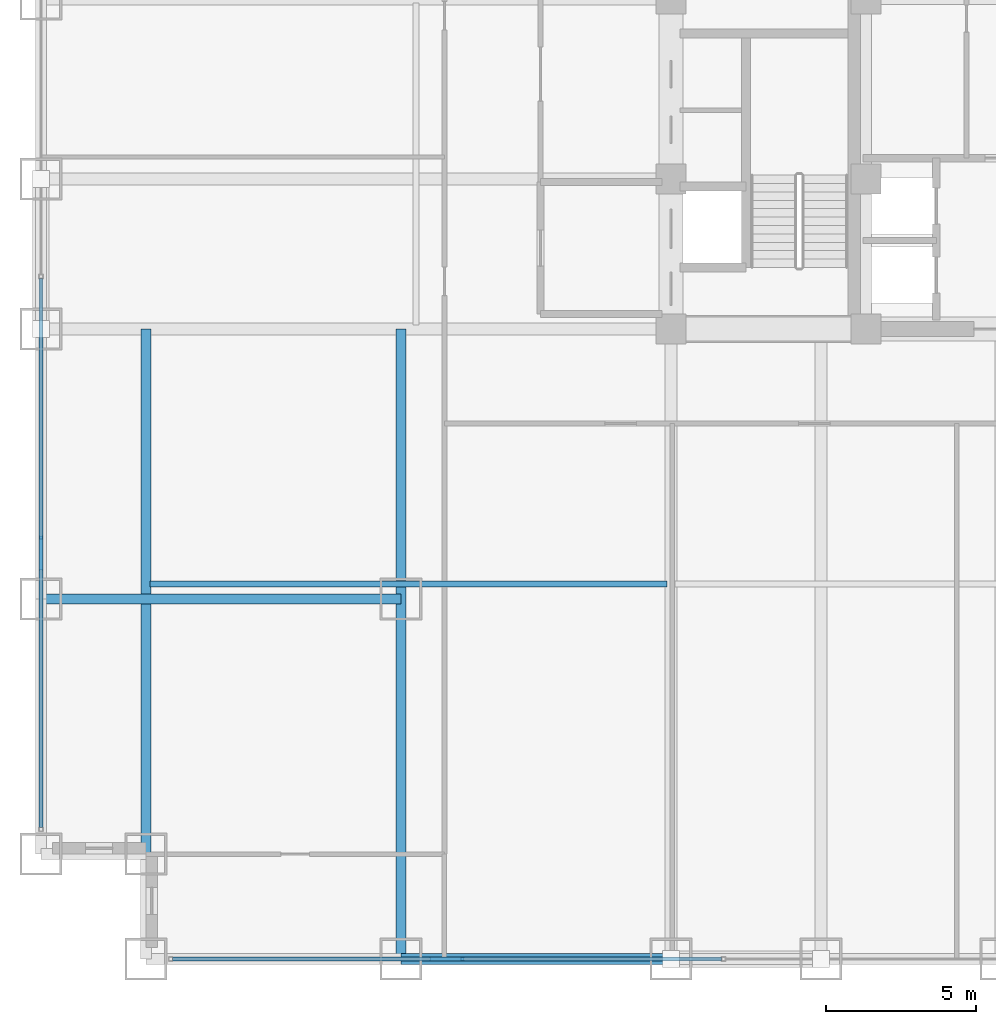
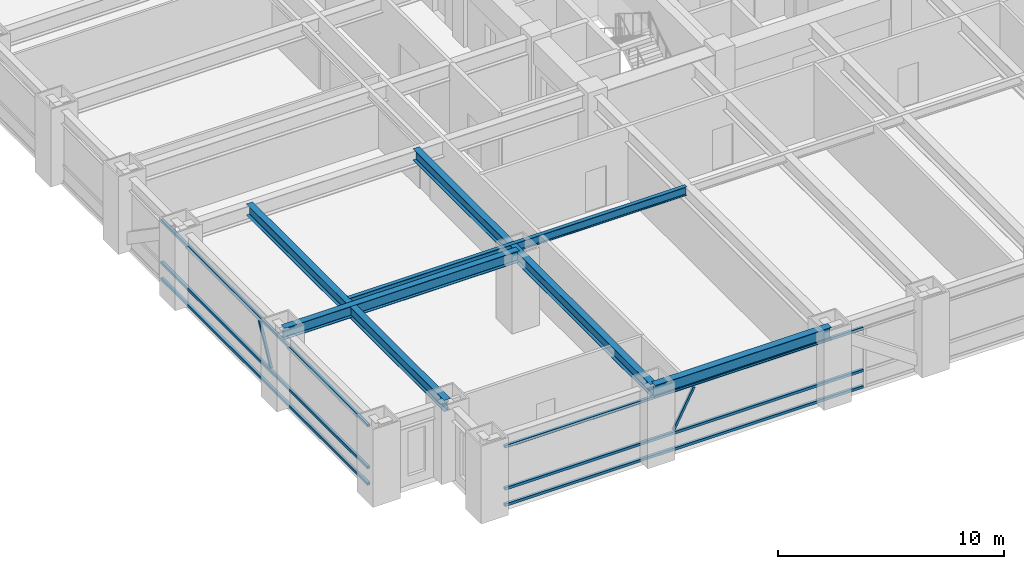
# One storey, part 3 of 27: 8 members, 5 beams, 2 elements without a shape of their own.
"""IFC4 building model written with IfcOpenShell, lengths in metres."""

from ifc_helpers import new_model, si_unit, direction, frame, origin, origin_2d, place, context, subcontext, project, spatial, hollow_rectangle, i_section, extrude, source, transform, mapped, material, material_profile, profile_set, type_object, element, aggregate, save


model = new_model("IFC4")

# Units and contexts
model_context = context("Model", 3, precision=1e-05, world=origin(), true_north=direction((0.0, 1.0)))
body_context = subcontext(model_context, "Body", "Model", "MODEL_VIEW")
ifc_project = project(units=[si_unit("LENGTHUNIT", "METRE"), si_unit("AREAUNIT", "SQUARE_METRE"), si_unit("VOLUMEUNIT", "CUBIC_METRE"), si_unit("PLANEANGLEUNIT", "RADIAN"), si_unit("MASSUNIT", "GRAM", prefix="KILO")], contexts=[model_context])

# Site, building, storey
site_placement = place(None, origin())
site = spatial("IfcSite", under=ifc_project, at=site_placement, CompositionType="ELEMENT")
building_placement = place(site_placement, origin())
building = spatial("IfcBuilding", under=site, at=building_placement, Name="Khorayat Bourse Tower", CompositionType="ELEMENT")
storey_placement = place(building_placement, frame((0.0, 0.0, 45.199951171875)))
storey = spatial("IfcBuildingStorey", under=building, at=storey_placement, Name="L09", CompositionType="ELEMENT", Elevation=45.199951171875)

# Beams
ifc_material_1 = material(Name="Steel ASTM A992 Grade 50", Category="steel")
ifc_material_profile_1 = material_profile(ifc_material_1, i_section(OverallWidth=0.35498046875, OverallDepth=0.695068359375, WebThickness=0.015380859375, FlangeThickness=0.02490234375, FilletRadius=0.01806640625, at=origin_2d()), Name="W690X217")
ifc_profile_set_1 = profile_set([ifc_material_profile_1], Name="Steel ASTM A992 Grade 50")
beam_type_1 = type_object("IfcBeamType", Name="BM-SPAN-690", PredefinedType="SPANDREL", material=ifc_profile_set_1)
shared_shape_1 = source(origin(), body_context, "Body", "SweptSolid", [
    extrude(i_section(OverallWidth=0.35498046875, OverallDepth=0.695068359375, WebThickness=0.015380859375, FlangeThickness=0.02490234375, FilletRadius=0.01806640625, at=origin_2d()), origin(), (0.0, 0.0, 1.0), 9.0),
])
beam_1_placement = place(storey_placement, frame((-20.0, -32.0, 3.592529296875), z_axis=(1.0, 0.0, 0.0), x_axis=(0.0, 1.0, 0.0)))
element("IfcBeam", 1, at=beam_1_placement, inside=storey, type_object=beam_type_1, Name="L09 BM-SPAN-690 BM-L09-SPN-025", PredefinedType="SPANDREL", context=body_context, shape_type="MappedRepresentation", body=[
    mapped(shared_shape_1, transform((0.0, 0.0, 0.0), scale=1.0)),
])
ifc_material_profile_2 = material_profile(ifc_material_1, i_section(OverallWidth=0.324951171875, OverallDepth=0.615966796875, WebThickness=0.013916015625, FlangeThickness=0.021484375, FilletRadius=0.01611328125, at=origin_2d()), Name="W610X174")
ifc_profile_set_2 = profile_set([ifc_material_profile_2], Name="Steel ASTM A992 Grade 50")
beam_type_2 = type_object("IfcBeamType", Name="BM-GIRD-610", PredefinedType="BEAM", material=ifc_profile_set_2)
shared_shape_2 = source(origin(), body_context, "Body", "SweptSolid", [
    extrude(i_section(OverallWidth=0.324951171875, OverallDepth=0.615966796875, WebThickness=0.013916015625, FlangeThickness=0.021484375, FilletRadius=0.01611328125, at=origin_2d()), origin(), (0.0, 0.0, 1.0), 21.0),
])
beam_2_placement = place(storey_placement, frame((-20.0, -32.0, 3.632080078125), z_axis=(0.0, 1.0, 0.0), x_axis=(-1.0, 0.0, 0.0)))
element("IfcBeam", 2, at=beam_2_placement, inside=storey, type_object=beam_type_2, Name="L09 BM-GIRD-610 BM-L09-CNRY-084", PredefinedType="BEAM", context=body_context, shape_type="MappedRepresentation", body=[
    mapped(shared_shape_2, transform((0.0, 0.0, 0.0), scale=1.0)),
])
shared_shape_3 = source(origin(), body_context, "Body", "SweptSolid", [
    extrude(i_section(OverallWidth=0.324951171875, OverallDepth=0.615966796875, WebThickness=0.013916015625, FlangeThickness=0.021484375, FilletRadius=0.01611328125, at=origin_2d()), origin(), (0.0, 0.0, 1.0), 17.5),
])
beam_3_placement = place(storey_placement, frame((-28.5, -28.5, 3.632080078125), z_axis=(0.0, 1.0, 0.0), x_axis=(-1.0, 0.0, 0.0)))
element("IfcBeam", 3, at=beam_3_placement, inside=storey, type_object=beam_type_2, Name="L09 BM-GIRD-610 BM-L09-CNRY-088", PredefinedType="BEAM", context=body_context, shape_type="MappedRepresentation", body=[
    mapped(shared_shape_3, transform((0.0, 0.0, 0.0), scale=1.0)),
])
shared_shape_4 = source(origin(), body_context, "Body", "SweptSolid", [
    extrude(i_section(OverallWidth=0.324951171875, OverallDepth=0.615966796875, WebThickness=0.013916015625, FlangeThickness=0.021484375, FilletRadius=0.01611328125, at=origin_2d()), origin(), (0.0, 0.0, 1.0), 12.0),
])
beam_4_placement = place(storey_placement, frame((-32.0, -20.0, 3.632080078125), z_axis=(1.0, 0.0, 0.0), x_axis=(0.0, 1.0, 0.0)))
element("IfcBeam", 4, at=beam_4_placement, inside=storey, type_object=beam_type_2, Name="L09 BM-GIRD-610 BM-L09-CNRX-093", PredefinedType="BEAM", context=body_context, shape_type="MappedRepresentation", body=[
    mapped(shared_shape_4, transform((0.0, 0.0, 0.0), scale=1.0)),
])
ifc_material_profile_3 = material_profile(ifc_material_1, i_section(OverallWidth=0.194091796875, OverallDepth=0.468994140625, WebThickness=0.0126953125, FlangeThickness=0.0205078125, FilletRadius=0.012939453125, at=origin_2d()), Name="W460X106")
ifc_profile_set_3 = profile_set([ifc_material_profile_3], Name="Steel ASTM A992 Grade 50")
beam_type_3 = type_object("IfcBeamType", Name="BM-JOIST-460", PredefinedType="JOIST", material=ifc_profile_set_3)
shared_shape_5 = source(origin(), body_context, "Body", "SweptSolid", [
    extrude(i_section(OverallWidth=0.194091796875, OverallDepth=0.468994140625, WebThickness=0.0126953125, FlangeThickness=0.0205078125, FilletRadius=0.012939453125, at=origin_2d()), origin(), (0.0, 0.0, 1.0), 17.240234375),
])
beam_5_placement = place(storey_placement, frame((-28.3701171875, -19.5, 3.70556640625), z_axis=(1.0, 0.0, 0.0), x_axis=(0.0, 1.0, 0.0)))
element("IfcBeam", 5, at=beam_5_placement, inside=storey, type_object=beam_type_3, Name="L09 BM-JOIST-460 BM-L09-JSTX-096", PredefinedType="JOIST", context=body_context, shape_type="MappedRepresentation", body=[
    mapped(shared_shape_5, transform((0.0, 0.0, 0.0), scale=1.0)),
])

# Curtain wall, members
ifc_material_2 = material(Name="Aluminium EN AW-6063 T6", Category="aluminium")
curtain_wall_type = type_object("IfcCurtainWallType", Name="CW-SYS-02", PredefinedType="NOTDEFINED", material=ifc_material_2)
curtain_wall_1_placement = place(storey_placement, origin())
curtain_wall_1 = element("IfcCurtainWall", 6, at=curtain_wall_1_placement, inside=storey, type_object=curtain_wall_type, Name="L09 Curtain Wall CW-L09-S1", PredefinedType="NOTDEFINED")
ifc_material_profile_4 = material_profile(ifc_material_2, hollow_rectangle(XDim=0.139892578125, YDim=0.139892578125, WallThickness=0.006103515625, at=origin_2d()), Name="ALU 140x140x6")
ifc_profile_set_4 = profile_set([ifc_material_profile_4], Name="Aluminium EN AW-6063 T6")
member_type_1 = type_object("IfcMemberType", Name="CWT-HORZ-140", PredefinedType="USERDEFINED", material=ifc_profile_set_4)
shared_shape_6 = source(origin(), body_context, "Body", "SweptSolid", [
    extrude(hollow_rectangle(XDim=0.139892578125, YDim=0.139892578125, WallThickness=0.006103515625, at=origin_2d()), origin(), (0.0, 0.0, 1.0), 18.2900390625),
])
member_1_placement = place(storey_placement, frame((-27.610107421875, -32.0, 0.070068359375), z_axis=(1.0, 0.0, 0.0), x_axis=(0.0, 1.0, 0.0)))
member_1 = element("IfcMember", 7, at=member_1_placement, type_object=member_type_1, Name="CW-L09-S1 Horizontal Transom 1-1", ObjectType="TRANSOM", PredefinedType="USERDEFINED", context=body_context, shape_type="MappedRepresentation", body=[
    mapped(shared_shape_6, transform((0.0, 0.0, 0.0), scale=1.0)),
])
member_2_placement = place(storey_placement, frame((-27.610107421875, -32.0, 0.949951171875), z_axis=(1.0, 0.0, 0.0), x_axis=(0.0, 1.0, 0.0)))
member_2 = element("IfcMember", 8, at=member_2_placement, type_object=member_type_1, Name="CW-L09-S1 Horizontal Transom 1-2", ObjectType="TRANSOM", PredefinedType="USERDEFINED", context=body_context, shape_type="MappedRepresentation", body=[
    mapped(shared_shape_6, transform((0.0, 0.0, 0.0), scale=1.0)),
])
member_3_placement = place(storey_placement, frame((-27.610107421875, -32.0, 3.219970703125), z_axis=(1.0, 0.0, 0.0), x_axis=(0.0, 1.0, 0.0)))
member_3 = element("IfcMember", 9, at=member_3_placement, type_object=member_type_1, Name="CW-L09-S1 Horizontal Transom 1-3", ObjectType="TRANSOM", PredefinedType="USERDEFINED", context=body_context, shape_type="MappedRepresentation", body=[
    mapped(shared_shape_6, transform((0.0, 0.0, 0.0), scale=1.0)),
])

curtain_wall_2_placement = place(storey_placement, origin())
curtain_wall_2 = element("IfcCurtainWall", 10, at=curtain_wall_2_placement, inside=storey, type_object=curtain_wall_type, Name="L09 Curtain Wall CW-L09-W1", PredefinedType="NOTDEFINED")
member_4_placement = place(storey_placement, frame((-32.0, -27.610107421875, 0.070068359375), z_axis=(0.0, 1.0, 0.0), x_axis=(-1.0, 0.0, 0.0)))
member_4 = element("IfcMember", 11, at=member_4_placement, type_object=member_type_1, Name="CW-L09-W1 Horizontal Transom 1-1", ObjectType="TRANSOM", PredefinedType="USERDEFINED", context=body_context, shape_type="MappedRepresentation", body=[
    mapped(shared_shape_6, transform((0.0, 0.0, 0.0), scale=1.0)),
])
member_5_placement = place(storey_placement, frame((-32.0, -27.610107421875, 0.949951171875), z_axis=(0.0, 1.0, 0.0), x_axis=(-1.0, 0.0, 0.0)))
member_5 = element("IfcMember", 12, at=member_5_placement, type_object=member_type_1, Name="CW-L09-W1 Horizontal Transom 1-2", ObjectType="TRANSOM", PredefinedType="USERDEFINED", context=body_context, shape_type="MappedRepresentation", body=[
    mapped(shared_shape_6, transform((0.0, 0.0, 0.0), scale=1.0)),
])
member_6_placement = place(storey_placement, frame((-32.0, -27.610107421875, 3.219970703125), z_axis=(0.0, 1.0, 0.0), x_axis=(-1.0, 0.0, 0.0)))
member_6 = element("IfcMember", 13, at=member_6_placement, type_object=member_type_1, Name="CW-L09-W1 Horizontal Transom 1-3", ObjectType="TRANSOM", PredefinedType="USERDEFINED", context=body_context, shape_type="MappedRepresentation", body=[
    mapped(shared_shape_6, transform((0.0, 0.0, 0.0), scale=1.0)),
])

# Member
ifc_material_profile_5 = material_profile(ifc_material_2, hollow_rectangle(XDim=0.1201171875, YDim=0.1201171875, WallThickness=0.0048828125, at=origin_2d()), Name="ALU 120x120x5")
ifc_profile_set_5 = profile_set([ifc_material_profile_5], Name="Aluminium EN AW-6063 T6")
member_type_2 = type_object("IfcMemberType", Name="CWM-DIAG-120", PredefinedType="MULLION", material=ifc_profile_set_5)
shared_shape_7 = source(origin(), body_context, "Body", "SweptSolid", [
    extrude(hollow_rectangle(XDim=0.1201171875, YDim=0.1201171875, WallThickness=0.0048828125, at=origin_2d()), origin(), (0.0, 0.0, 1.0), 2.22607421875),
])
member_7_placement = place(storey_placement, frame((-18.9833984375, -32.0, 1.10009765625), z_axis=(0.465759992596, 0.0, 0.884911085532), x_axis=(0.0, 1.0, 0.0)))
member_7 = element("IfcMember", 14, at=member_7_placement, type_object=member_type_2, Name="CW-L09-S1 Faceted Diagonal Mullion 1", PredefinedType="MULLION", context=body_context, shape_type="MappedRepresentation", body=[
    mapped(shared_shape_7, transform((0.0, 0.0, 0.0), scale=1.0)),
])

aggregate(curtain_wall_1, [member_1, member_2, member_3, member_7])

member_8_placement = place(storey_placement, frame((-32.0, -18.9833984375, 1.10009765625), z_axis=(0.0, 0.465759992596, 0.884911085532), x_axis=(-1.0, 0.0, 0.0)))
member_8 = element("IfcMember", 15, at=member_8_placement, type_object=member_type_2, Name="CW-L09-W1 Faceted Diagonal Mullion 1", PredefinedType="MULLION", context=body_context, shape_type="MappedRepresentation", body=[
    mapped(shared_shape_7, transform((0.0, 0.0, 0.0), scale=1.0)),
])

aggregate(curtain_wall_2, [member_4, member_5, member_6, member_8])

save(model, "model.ifc")
